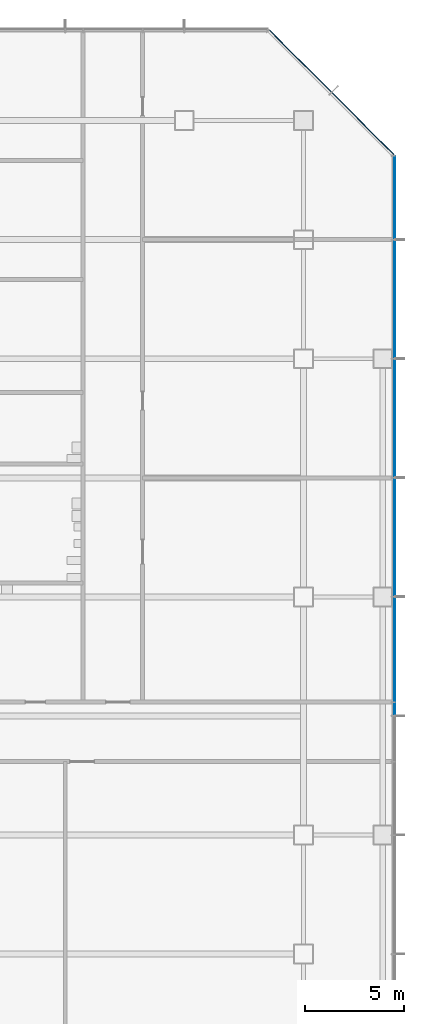
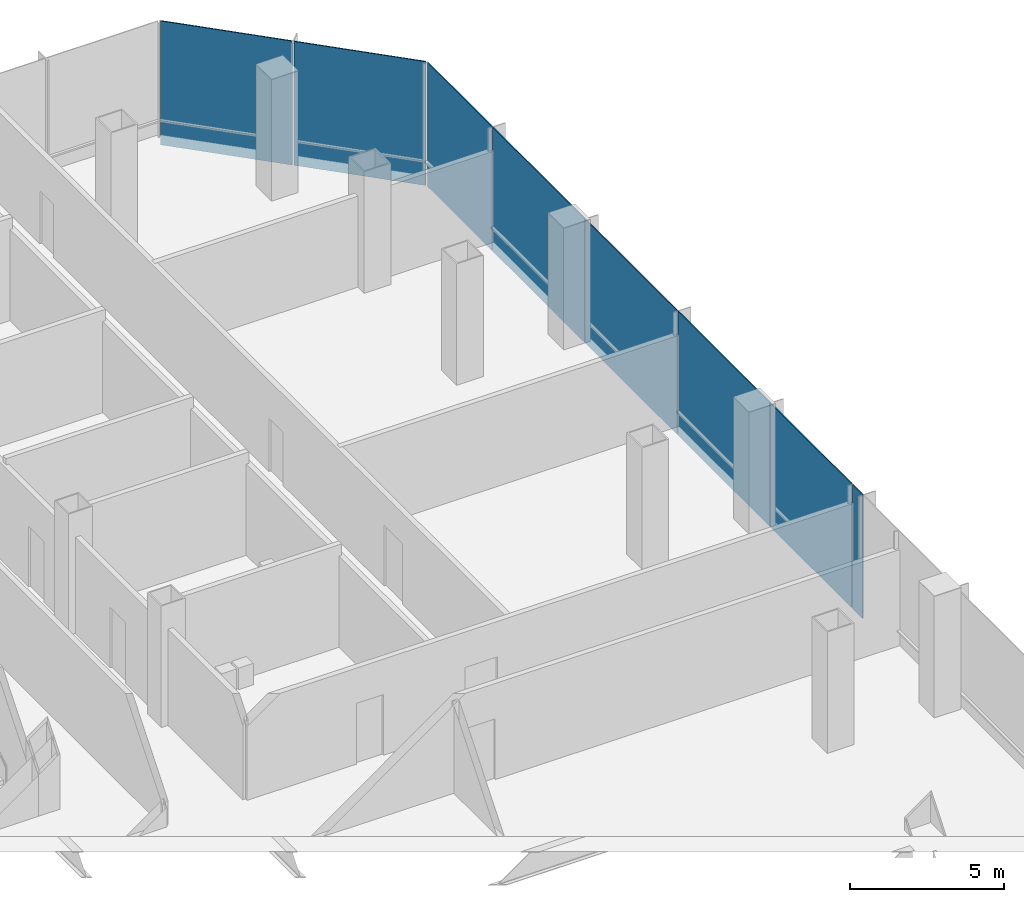
# One storey, part 22 of 34: 8 plates, 2 elements without a shape of their own.
"""IFC4 building model written with IfcOpenShell, lengths in metres."""

from ifc_helpers import new_model, si_unit, direction, frame, origin, origin_2d, place, context, subcontext, project, spatial, rectangle, extrude, material, layer, layer_set, type_object, element, aggregate, save


model = new_model("IFC4")

# Units and contexts
model_context = context("Model", 3, precision=1e-05, world=origin(), true_north=direction((0.0, 1.0)))
body_context = subcontext(model_context, "Body", "Model", "MODEL_VIEW")
ifc_project = project(units=[si_unit("LENGTHUNIT", "METRE"), si_unit("AREAUNIT", "SQUARE_METRE"), si_unit("VOLUMEUNIT", "CUBIC_METRE"), si_unit("PLANEANGLEUNIT", "RADIAN"), si_unit("MASSUNIT", "GRAM", prefix="KILO")], contexts=[model_context])

# Site, building, storey
site_placement = place(None, origin())
site = spatial("IfcSite", under=ifc_project, at=site_placement, CompositionType="ELEMENT")
building_placement = place(site_placement, origin())
building = spatial("IfcBuilding", under=site, at=building_placement, Name="Sorahane Residences", CompositionType="ELEMENT")
storey_placement = place(building_placement, frame((0.0, 0.0, 39.60009765625)))
storey = spatial("IfcBuildingStorey", under=building, at=storey_placement, Name="L06", CompositionType="ELEMENT", Elevation=39.60009765625)

# Curtain wall, plates
ifc_material_1 = material(Name="Dark low-e glass and black anodised aluminium", Category="aluminium")
curtain_wall_type = type_object("IfcCurtainWallType", Name="Curtain wall CW-3 Podium unitised wall", PredefinedType="NOTDEFINED", material=ifc_material_1)
curtain_wall_1_placement = place(storey_placement, origin())
curtain_wall_1 = element("IfcCurtainWall", 1, at=curtain_wall_1_placement, inside=storey, type_object=curtain_wall_type, Name="CW-3 curtain wall L06 E1", PredefinedType="NOTDEFINED")
ifc_material_2 = material(Name="Dark low-e glass with black ceramic frit", Category="glass")
ifc_layer = layer(ifc_material_2, 0.0400390625)
ifc_layer_set = layer_set([ifc_layer], Name="Curtain wall glass panel dark low-e podium with black frit spandrel band")
plate_type = type_object("IfcPlateType", Name="Curtain wall glass panel dark low-e podium with black frit spandrel band", PredefinedType="CURTAIN_PANEL", material=ifc_layer_set)
plate_1_placement = place(storey_placement, frame((70.60009765625, 18.35009765625, -0.400146484375), z_axis=(0.0, 0.0, 1.0), x_axis=(0.0, 1.0, 0.0)))
plate_1 = element("IfcPlate", 2, at=plate_1_placement, type_object=plate_type, Name="CW-3 glass panel L06 E1.5", PredefinedType="CURTAIN_PANEL", context=body_context, shape_type="SweptSolid", body=[
    extrude(rectangle(XDim=0.64990234375, YDim=0.0400390625, at=origin_2d()), origin(), (0.0, 0.0, 1.0), 4.89990234375),
])
plate_2_placement = place(storey_placement, frame((70.60009765625, 21.35009765625, -0.400146484375), z_axis=(0.0, 0.0, 1.0), x_axis=(0.0, 1.0, 0.0)))
plate_2 = element("IfcPlate", 3, at=plate_2_placement, type_object=plate_type, Name="CW-3 glass panel L06 E1.6", PredefinedType="CURTAIN_PANEL", context=body_context, shape_type="SweptSolid", body=[
    extrude(rectangle(XDim=5.25, YDim=0.0400390625, at=origin_2d()), origin(), (0.0, 0.0, 1.0), 4.89990234375),
])
plate_3_placement = place(storey_placement, frame((70.60009765625, 27.0, -0.400146484375), z_axis=(0.0, 0.0, 1.0), x_axis=(0.0, 1.0, 0.0)))
plate_3 = element("IfcPlate", 4, at=plate_3_placement, type_object=plate_type, Name="CW-3 glass panel L06 E1.7", PredefinedType="CURTAIN_PANEL", context=body_context, shape_type="SweptSolid", body=[
    extrude(rectangle(XDim=5.949951171875, YDim=0.0400390625, at=origin_2d()), origin(), (0.0, 0.0, 1.0), 4.89990234375),
])
plate_4_placement = place(storey_placement, frame((70.60009765625, 33.0, -0.400146484375), z_axis=(0.0, 0.0, 1.0), x_axis=(0.0, 1.0, 0.0)))
plate_4 = element("IfcPlate", 5, at=plate_4_placement, type_object=plate_type, Name="CW-3 glass panel L06 E1.8", PredefinedType="CURTAIN_PANEL", context=body_context, shape_type="SweptSolid", body=[
    extrude(rectangle(XDim=5.949951171875, YDim=0.0400390625, at=origin_2d()), origin(), (0.0, 0.0, 1.0), 4.89990234375),
])
plate_5_placement = place(storey_placement, frame((70.60009765625, 39.0, -0.400146484375), z_axis=(0.0, 0.0, 1.0), x_axis=(0.0, 1.0, 0.0)))
plate_5 = element("IfcPlate", 6, at=plate_5_placement, type_object=plate_type, Name="CW-3 glass panel L06 E1.9", PredefinedType="CURTAIN_PANEL", context=body_context, shape_type="SweptSolid", body=[
    extrude(rectangle(XDim=5.949951171875, YDim=0.0400390625, at=origin_2d()), origin(), (0.0, 0.0, 1.0), 4.89990234375),
])
plate_6_placement = place(storey_placement, frame((70.60009765625, 44.11181640625, -0.400146484375), z_axis=(0.0, 0.0, 1.0), x_axis=(0.0, 1.0, 0.0)))
plate_6 = element("IfcPlate", 7, at=plate_6_placement, type_object=plate_type, Name="CW-3 glass panel L06 E1.10", PredefinedType="CURTAIN_PANEL", context=body_context, shape_type="SweptSolid", body=[
    extrude(rectangle(XDim=4.173583984375, YDim=0.0400390625, at=origin_2d()), origin(), (0.0, 0.0, 1.0), 4.89990234375),
])
aggregate(curtain_wall_1, [plate_1, plate_2, plate_3, plate_4, plate_5, plate_6])

curtain_wall_2_placement = place(storey_placement, origin())
curtain_wall_2 = element("IfcCurtainWall", 8, at=curtain_wall_2_placement, inside=storey, type_object=curtain_wall_type, Name="CW-3 curtain wall L06 NE1", PredefinedType="NOTDEFINED")
plate_7_placement = place(storey_placement, frame((69.003173828125, 47.84521484375, -0.400146484375), z_axis=(0.0, 0.0, 1.0), x_axis=(-0.707106781187, 0.707106781187, 0.0)))
plate_7 = element("IfcPlate", 9, at=plate_7_placement, type_object=plate_type, Name="CW-3 glass panel L06 NE1.1", PredefinedType="CURTAIN_PANEL", context=body_context, shape_type="SweptSolid", body=[
    extrude(rectangle(XDim=4.416259765625, YDim=0.0400390625, at=origin_2d()), origin(), (0.0, 0.0, 1.0), 4.89990234375),
])
plate_8_placement = place(storey_placement, frame((65.84521484375, 51.003173828125, -0.400146484375), z_axis=(0.0, 0.0, 1.0), x_axis=(-0.707106781187, 0.707106781187, 0.0)))
plate_8 = element("IfcPlate", 10, at=plate_8_placement, type_object=plate_type, Name="CW-3 glass panel L06 NE1.2", PredefinedType="CURTAIN_PANEL", context=body_context, shape_type="SweptSolid", body=[
    extrude(rectangle(XDim=4.416259765625, YDim=0.0400390625, at=origin_2d()), origin(), (0.0, 0.0, 1.0), 4.89990234375),
])
aggregate(curtain_wall_2, [plate_7, plate_8])

save(model, "model.ifc")
